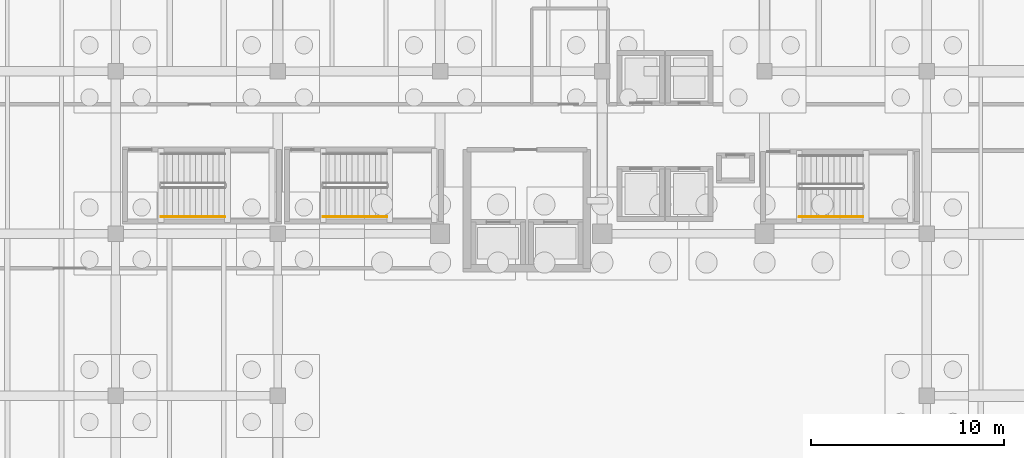
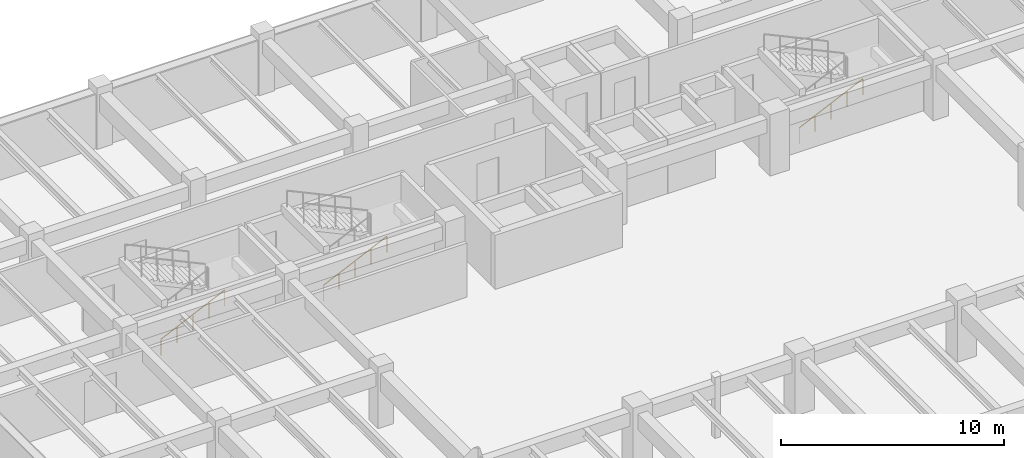
# One storey, part 62 of 70: 3 railings.
"""IFC4 building model written with IfcOpenShell, lengths in metres."""

from ifc_helpers import new_model, si_unit, direction, frame, origin, origin_2d, place, context, subcontext, project, spatial, circle, extrude, material, type_object, element, save


model = new_model("IFC4")

# Units and contexts
model_context = context("Model", 3, precision=1e-05, world=origin(), true_north=direction((0.0, 1.0)))
body_context = subcontext(model_context, "Body", "Model", "MODEL_VIEW")
ifc_project = project(units=[si_unit("LENGTHUNIT", "METRE"), si_unit("AREAUNIT", "SQUARE_METRE"), si_unit("VOLUMEUNIT", "CUBIC_METRE"), si_unit("PLANEANGLEUNIT", "RADIAN"), si_unit("MASSUNIT", "GRAM", prefix="KILO")], contexts=[model_context])

# Site, building, storey
site_placement = place(None, origin())
site = spatial("IfcSite", under=ifc_project, at=site_placement, CompositionType="ELEMENT")
building_placement = place(site_placement, origin())
building = spatial("IfcBuilding", under=site, at=building_placement, Name="Cumbredor Promenade Congress Hotel", CompositionType="ELEMENT")
storey_placement = place(building_placement, frame((0.0, 0.0, -7.56005859375)))
storey = spatial("IfcBuildingStorey", under=building, at=storey_placement, Name="B02", CompositionType="ELEMENT", Elevation=-7.56005859375)

# Railings
ifc_material = material(Name="Brushed stainless steel", Category="steel")
railing_type = type_object("IfcRailingType", Name="Stair Pitch Handrail HR-900", PredefinedType="HANDRAIL", material=ifc_material)
for number, where, name in (
    (1, (10.75, 101.669921875, 0.14013671875), "B02 ST-01 stair handrail 1"),
    (2, (19.14990234375, 101.669921875, 0.14013671875), "B02 ST-02 stair handrail 1"),
    (3, (43.800048828125, 101.669921875, 0.14013671875), "B02 ST-03 stair handrail 1"),
):
    element("IfcRailing", number, at=place(storey_placement, frame(where)), inside=storey, type_object=railing_type, Name=name, PredefinedType="HANDRAIL", context=body_context, shape_type="SweptSolid", body=[
        extrude(circle(Radius=0.02392578125, at=origin_2d()), frame((0.0, 0.0, 0.8759765625), z_axis=(0.906181427284, 0.0, 0.422889135408), x_axis=(0.0, 1.0, 0.0)), (0.0, 0.0, 1.0), 3.6416015625),
        extrude(circle(Radius=0.02099609375, at=origin_2d()), origin(), (0.0, 0.0, 1.0), 0.851806640625),
        extrude(circle(Radius=0.02099609375, at=origin_2d()), frame((0.824951171875, 0.0, 0.385009765625)), (0.0, 0.0, 1.0), 0.851806640625),
        extrude(circle(Radius=0.02099609375, at=origin_2d()), frame((1.64990234375, 0.0, 0.77001953125)), (0.0, 0.0, 1.0), 0.851806640625),
        extrude(circle(Radius=0.02099609375, at=origin_2d()), frame((2.47509765625, 0.0, 1.155029296875)), (0.0, 0.0, 1.0), 0.851806640625),
        extrude(circle(Radius=0.02099609375, at=origin_2d()), frame((3.300048828125, 0.0, 1.5400390625)), (0.0, 0.0, 1.0), 0.851806640625),
    ])

save(model, "model.ifc")
